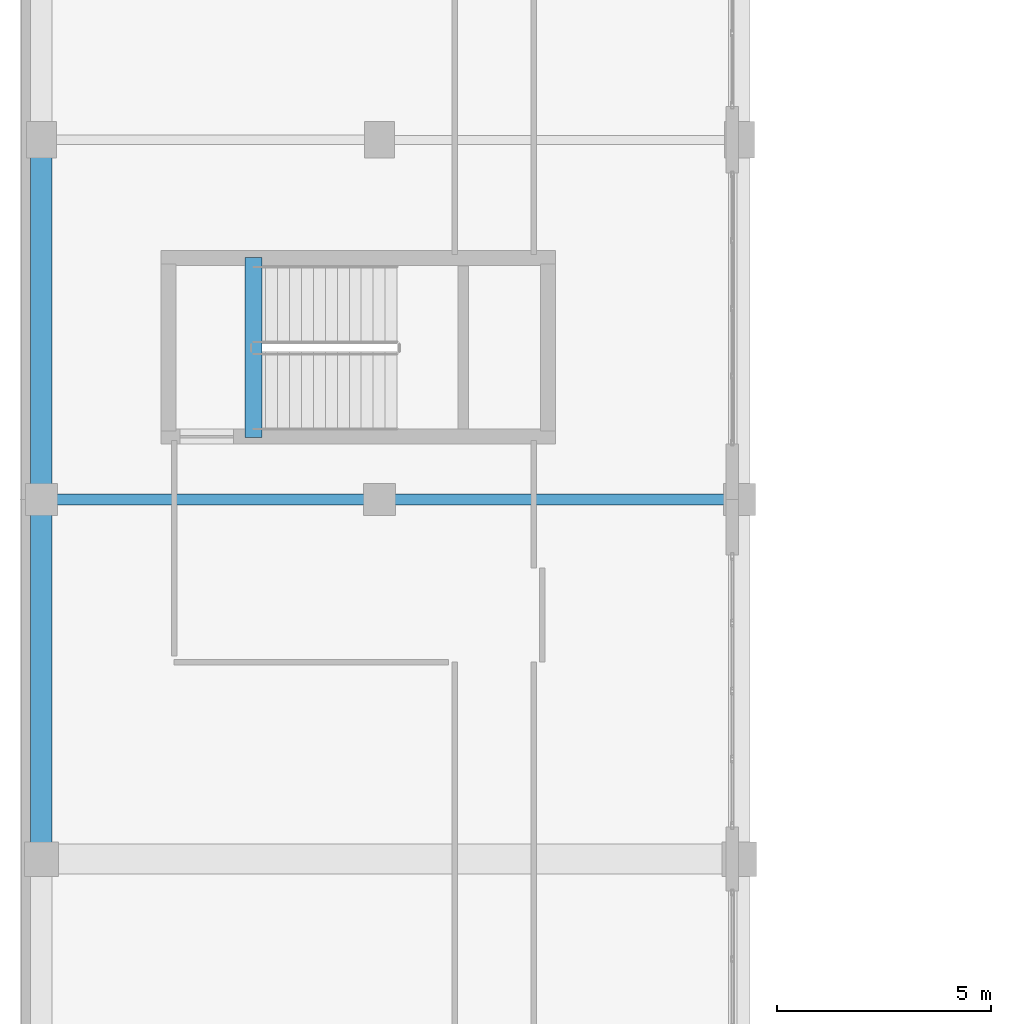
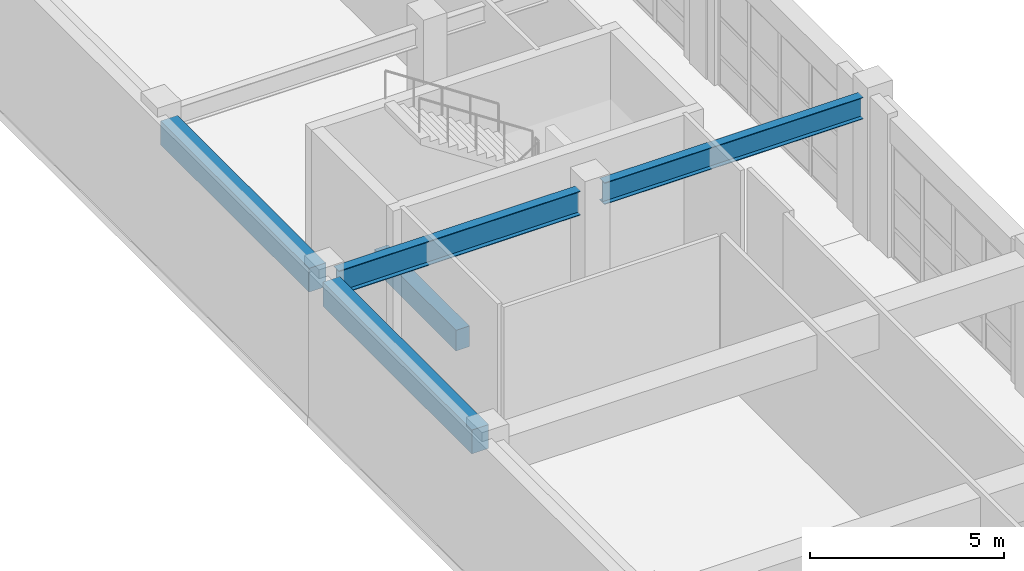
# One storey, part 23 of 123: 5 beams.
"""IFC4 building model written with IfcOpenShell, lengths in metres."""

from ifc_helpers import new_model, si_unit, direction, frame, origin, origin_2d, place, context, subcontext, project, spatial, rectangle, i_section, extrude, material, material_profile, profile_set, type_object, element, save


model = new_model("IFC4")

# Units and contexts
model_context = context("Model", 3, precision=1e-05, world=origin(), true_north=direction((0.0, 1.0)))
body_context = subcontext(model_context, "Body", "Model", "MODEL_VIEW")
ifc_project = project(units=[si_unit("LENGTHUNIT", "METRE"), si_unit("AREAUNIT", "SQUARE_METRE"), si_unit("VOLUMEUNIT", "CUBIC_METRE"), si_unit("PLANEANGLEUNIT", "RADIAN"), si_unit("MASSUNIT", "GRAM", prefix="KILO")], contexts=[model_context])

# Site, building, storey
site_placement = place(None, origin())
site = spatial("IfcSite", under=ifc_project, at=site_placement, CompositionType="ELEMENT")
building_placement = place(site_placement, origin())
building = spatial("IfcBuilding", under=site, at=building_placement, Name="Quendrovan Civic Courthouse", CompositionType="ELEMENT")
storey_placement = place(building_placement, frame((0.0, 0.0, 5.39990234375)))
storey = spatial("IfcBuildingStorey", under=building, at=storey_placement, Name="L02", CompositionType="ELEMENT", Elevation=5.39990234375)

# Beams
ifc_material_1 = material(Name="Concrete C40/50", Category="concrete")
ifc_material_profile_1 = material_profile(ifc_material_1, rectangle(XDim=0.39990234375, YDim=0.64990234375, at=origin_2d()), Name="RC-BM-400x650")
ifc_profile_set_1 = profile_set([ifc_material_profile_1], Name="Concrete C40/50")
beam_type_1 = type_object("IfcBeamType", Name="BM-RC650", PredefinedType="JOIST", material=ifc_profile_set_1)
beam_1_placement = place(storey_placement, frame((5.449951171875, 57.85009765625, -0.324951171875), z_axis=(0.0, 1.0, 0.0), x_axis=(-1.0, 0.0, 0.0)))
element("IfcBeam", 1, at=beam_1_placement, inside=storey, type_object=beam_type_1, Name="L02 Stair ST4 Landing Trimmer Beam", PredefinedType="JOIST", context=body_context, shape_type="SweptSolid", body=[
    extrude(rectangle(XDim=0.39990234375, YDim=0.64990234375, at=origin_2d()), origin(), (0.0, 0.0, 1.0), 4.199951171875),
])
ifc_material_profile_2 = material_profile(ifc_material_1, rectangle(XDim=0.5, YDim=0.75, at=origin_2d()), Name="RC-BM-500x750")
ifc_profile_set_2 = profile_set([ifc_material_profile_2], Name="Concrete C40/50")
beam_type_2 = type_object("IfcBeamType", Name="BM-RC750", PredefinedType="SPANDREL", material=ifc_profile_set_2)
beam_2_placement = place(storey_placement, frame((0.5, 48.3798828125, 3.985107421875), z_axis=(0.0, 1.0, 0.0), x_axis=(-1.0, 0.0, 0.0)))
element("IfcBeam", 2, at=beam_2_placement, inside=storey, type_object=beam_type_2, Name="L02 Girder Y0611", PredefinedType="SPANDREL", context=body_context, shape_type="SweptSolid", body=[
    extrude(rectangle(XDim=0.5, YDim=0.75, at=origin_2d()), origin(), (0.0, 0.0, 1.0), 7.6650390625),
])
beam_3_placement = place(storey_placement, frame((0.5, 56.7548828125, 3.985107421875), z_axis=(0.0, 1.0, 0.0), x_axis=(-1.0, 0.0, 0.0)))
element("IfcBeam", 3, at=beam_3_placement, inside=storey, type_object=beam_type_2, Name="L02 Girder Y0612", PredefinedType="SPANDREL", context=body_context, shape_type="SweptSolid", body=[
    extrude(rectangle(XDim=0.5, YDim=0.75, at=origin_2d()), origin(), (0.0, 0.0, 1.0), 7.64013671875),
])
ifc_material_2 = material(Name="Steel ASTM A992 Grade 50", Category="steel")
ifc_material_profile_3 = material_profile(ifc_material_2, i_section(OverallWidth=0.25390625, OverallDepth=0.68408203125, WebThickness=0.012451171875, FlangeThickness=0.018798828125, at=origin_2d()), Name="W27X94")
ifc_profile_set_3 = profile_set([ifc_material_profile_3], Name="Steel ASTM A992 Grade 50")
beam_type_3 = type_object("IfcBeamType", Name="BM-STL-W27", PredefinedType="BEAM", material=ifc_profile_set_3)
beam_4_placement = place(storey_placement, frame((8.7548828125, 56.39990234375, 4.01806640625), z_axis=(1.0, 0.0, 0.0), x_axis=(0.0, 1.0, 0.0)))
element("IfcBeam", 4, at=beam_4_placement, inside=storey, type_object=beam_type_3, Name="L02 Girder X0527", PredefinedType="BEAM", context=body_context, shape_type="SweptSolid", body=[
    extrude(i_section(OverallWidth=0.25390625, OverallDepth=0.68408203125, WebThickness=0.012451171875, FlangeThickness=0.018798828125, at=origin_2d()), origin(), (0.0, 0.0, 1.0), 7.690185546875),
])
ifc_material_profile_4 = material_profile(ifc_material_2, i_section(OverallWidth=0.26611328125, OverallDepth=0.758056640625, WebThickness=0.013916015625, FlangeThickness=0.019287109375, at=origin_2d()), Name="W30X108")
ifc_profile_set_4 = profile_set([ifc_material_profile_4], Name="Steel ASTM A992 Grade 50")
beam_type_4 = type_object("IfcBeamType", Name="BM-STL-W30", PredefinedType="BEAM", material=ifc_profile_set_4)
beam_5_placement = place(storey_placement, frame((0.85498046875, 56.39990234375, 3.981201171875), z_axis=(1.0, 0.0, 0.0), x_axis=(0.0, 1.0, 0.0)))
element("IfcBeam", 5, at=beam_5_placement, inside=storey, type_object=beam_type_4, Name="L02 Girder X0526", PredefinedType="BEAM", context=body_context, shape_type="SweptSolid", body=[
    extrude(i_section(OverallWidth=0.26611328125, OverallDepth=0.758056640625, WebThickness=0.013916015625, FlangeThickness=0.019287109375, at=origin_2d()), origin(), (0.0, 0.0, 1.0), 7.18994140625),
])

save(model, "model.ifc")
